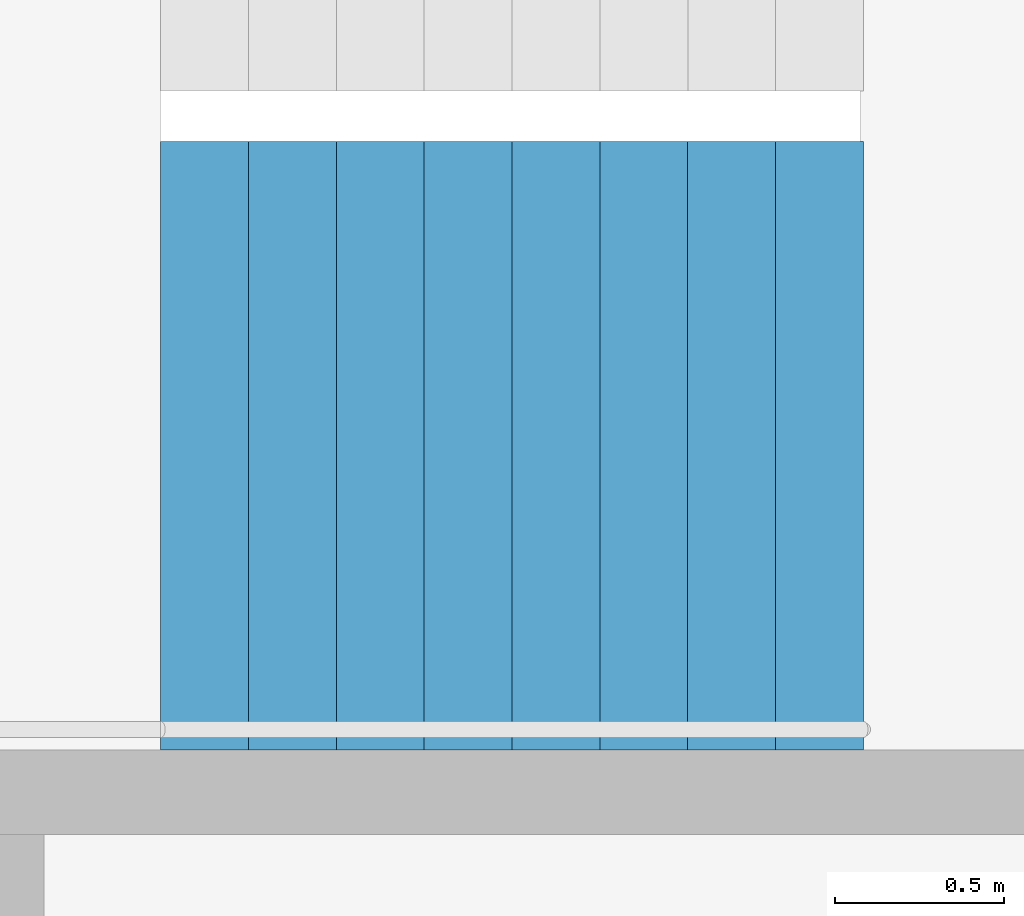
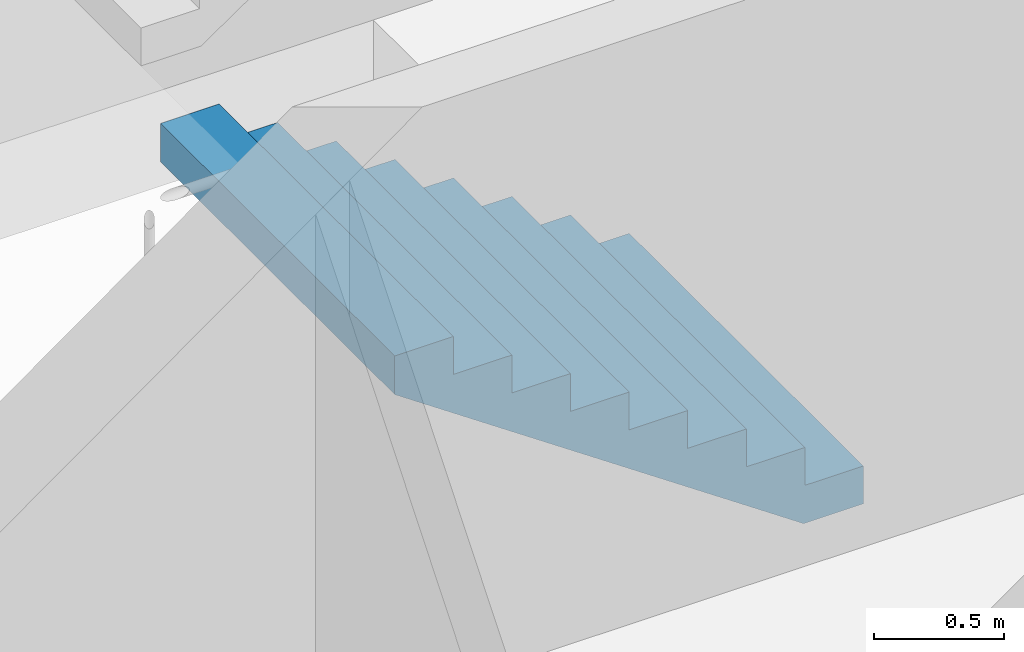
# One storey, part 24 of 26: 1 stair flight, 1 element without a shape of its own.
"""IFC4 building model written with IfcOpenShell, lengths in metres."""

import ifcopenshell
import ifcopenshell.guid

model = None  # the IFC model being written
_history = None  # IfcOwnerHistory: only IFC2X3 demands one
_inside = {}  # id of a spatial element -> (the spatial element, [elements in it])
_under = {}  # id of a project, library or spatial element -> (it, [spatial elements below it])
_declared = {}  # id of a project -> (the project, [libraries it declares])
_typed = {}  # id of a type object -> (the type object, [elements of that type])
_made_of = {}  # id of a material, layer set ... -> (it, [elements and type objects made of it])


def new_model(schema):
    """Start an empty IFC model of exactly this schema.

    Asked for "IFC4X3", IfcOpenShell would pick the latest addendum, in which some entities
    have other attributes; the version numbers below select the first issue.
    IFC2X3 requires an IfcOwnerHistory on every rooted entity: one is made here for all.
    """
    global model, _history
    if schema == "IFC4X3":
        model = ifcopenshell.file(schema_version=(4, 3, 0, 0))
    else:
        model = ifcopenshell.file(schema=schema)
    _inside.clear()
    _under.clear()
    _declared.clear()
    _typed.clear()
    _made_of.clear()
    _history = None
    if model.schema == "IFC2X3":
        org = make("IfcOrganization", Name="unknown")
        user = make(
            "IfcPersonAndOrganization",
            ThePerson=make("IfcPerson", FamilyName="unknown"),
            TheOrganization=org,
        )
        app = make(
            "IfcApplication",
            ApplicationDeveloper=org,
            Version="unknown",
            ApplicationFullName="unknown",
            ApplicationIdentifier="unknown",
        )
        _history = make(
            "IfcOwnerHistory",
            OwningUser=user,
            OwningApplication=app,
            ChangeAction="ADDED",
            CreationDate=0,
        )
    return model


def make(cls, **values):
    """One entity of the class cls with the attributes given. An attribute that is None is left unset."""
    return model.create_entity(
        cls, **{name: value for name, value in values.items() if value is not None}
    )


def rooted(cls, **values):
    """An entity with a GlobalId (a new one), such as an element, a storey or a relation."""
    return make(cls, GlobalId=ifcopenshell.guid.new(), OwnerHistory=_history, **values)


def si_unit(unit_type, name, prefix=None):
    """IfcSIUnit, for example si_unit("LENGTHUNIT", "METRE", prefix="MILLI")."""
    return make("IfcSIUnit", UnitType=unit_type, Prefix=prefix, Name=name)


def assignment(units):
    """IfcUnitAssignment: the units of a project."""
    return None if units is None else make("IfcUnitAssignment", Units=units)


def point(xyz):
    """IfcCartesianPoint."""
    return None if xyz is None else make("IfcCartesianPoint", Coordinates=xyz)


def direction(xyz):
    """IfcDirection."""
    return None if xyz is None else make("IfcDirection", DirectionRatios=xyz)


def frame(location, z_axis=None, x_axis=None):
    """IfcAxis2Placement3D, a coordinate frame: its origin and axes. An axis left out is left unset."""
    return make(
        "IfcAxis2Placement3D",
        Location=point(location),
        Axis=direction(z_axis),
        RefDirection=direction(x_axis),
    )


def origin():
    """The frame at (0, 0, 0) with its axes left unset."""
    return frame((0.0, 0.0, 0.0))


def place(relative_to, where):
    """IfcLocalPlacement: puts the frame where relative to a parent placement (None: the world)."""
    return make(
        "IfcLocalPlacement", PlacementRelTo=relative_to, RelativePlacement=where
    )


def context(
    kind, dimensions, precision=None, world=None, true_north=None, identifier=None
):
    """IfcGeometricRepresentationContext, for example the 3D "Model" context."""
    return make(
        "IfcGeometricRepresentationContext",
        ContextIdentifier=identifier,
        ContextType=kind,
        CoordinateSpaceDimension=dimensions,
        Precision=precision,
        WorldCoordinateSystem=world,
        TrueNorth=true_north,
    )


def subcontext(parent, identifier, kind, view, scale=None):
    """IfcGeometricRepresentationSubContext, for example "Body" below "Model"."""
    return make(
        "IfcGeometricRepresentationSubContext",
        ContextIdentifier=identifier,
        ContextType=kind,
        ParentContext=parent,
        TargetScale=scale,
        TargetView=view,
    )


def project(units=None, contexts=None):
    """IfcProject with its units and contexts."""
    return rooted(
        "IfcProject",
        Name="project",
        RepresentationContexts=contexts,
        UnitsInContext=assignment(units),
    )


def spatial(cls, under=None, at=None, **own):
    """A site, building, storey or space (cls), placed at a placement, below another one or the project."""
    s = rooted(cls, ObjectPlacement=at, **own)
    if under is not None:
        _under.setdefault(under.id(), (under, []))[1].append(s)
    return s


def point_list(points):
    """IfcCartesianPointList2D or 3D."""
    cls = (
        "IfcCartesianPointList2D" if len(points[0]) == 2 else "IfcCartesianPointList3D"
    )
    return make(cls, CoordList=points)


def triangles(points, corners, closed=None, point_numbers=None):
    """IfcTriangulatedFaceSet: each triangle names its three corners, points numbered from 1."""
    return make(
        "IfcTriangulatedFaceSet",
        Coordinates=point_list(points),
        Closed=closed,
        CoordIndex=corners,
        PnIndex=point_numbers,
    )


def shape(context_of_items, identifier, shape_type, items):
    """IfcShapeRepresentation: the items that make up one representation, for example the "Body"."""
    return make(
        "IfcShapeRepresentation",
        ContextOfItems=context_of_items,
        RepresentationIdentifier=identifier,
        RepresentationType=shape_type,
        Items=items,
    )


def material(Name=None, Category=None):
    """IfcMaterial."""
    return make("IfcMaterial", Name=Name, Category=Category)


def made_of(thing, what):
    """Note that an element or type object is made of a material, layer set ...; save() writes the relation."""
    if what is not None:
        _made_of.setdefault(what.id(), (what, []))[1].append(thing)
    return thing


def type_object(cls, material=None, **own):
    """A type object (cls), such as IfcWallType, which elements share."""
    return made_of(rooted(cls, **own), material)


def element(
    cls,
    number,
    at=None,
    inside=None,
    cuts=None,
    type_object=None,
    material=None,
    context=None,
    identifier="Body",
    shape_type=None,
    held_by="IfcProductDefinitionShape",
    body=None,
    shapes=None,
    **own,
):
    """One element of the class cls, such as IfcWall. Its Tag is "e" and its number.

    at: its placement. inside: the storey or other place that contains it. cuts: it is an
    opening in that element (IfcRelVoidsElement). A single representation is given by context,
    identifier, shape_type and body (its items); several are given by shapes. held_by: the class
    of the entity that holds the representations. save() writes the other relations.
    """
    e = rooted(cls, Tag="e%d" % number, ObjectPlacement=at, **own)
    if body is not None:
        shapes = [shape(context, identifier, shape_type, body)]
    if shapes is not None:
        e.Representation = make(held_by, Representations=shapes)
    if inside is not None:
        _inside.setdefault(inside.id(), (inside, []))[1].append(e)
    if cuts is not None:
        rooted(
            "IfcRelVoidsElement", RelatingBuildingElement=cuts, RelatedOpeningElement=e
        )
    if type_object is not None:
        _typed.setdefault(type_object.id(), (type_object, []))[1].append(e)
    return made_of(e, material)


def aggregate(whole, parts):
    """IfcRelAggregates: a whole, such as a stair, and the parts it consists of."""
    return rooted("IfcRelAggregates", RelatingObject=whole, RelatedObjects=parts)


def save(model, path):
    """Write the relations noted so far, then the file.

    IfcRelAggregates (storeys below a building ...), IfcRelContainedInSpatialStructure (elements
    in a storey), IfcRelDefinesByType, IfcRelAssociatesMaterial and IfcRelDeclares: one each for
    every whole, place, type object, material and project.
    """
    for whole, parts in _under.values():
        aggregate(whole, parts)
    for where, things in _inside.values():
        rooted(
            "IfcRelContainedInSpatialStructure",
            RelatedElements=things,
            RelatingStructure=where,
        )
    for kind, things in _typed.values():
        rooted("IfcRelDefinesByType", RelatedObjects=things, RelatingType=kind)
    for what, things in _made_of.values():
        rooted("IfcRelAssociatesMaterial", RelatedObjects=things, RelatingMaterial=what)
    for by, libraries in _declared.values():
        rooted("IfcRelDeclares", RelatingContext=by, RelatedDefinitions=libraries)
    model.write(path)


model = new_model("IFC4")

# Units and contexts
model_context = context("Model", 3, precision=1e-05, world=origin(), true_north=direction((0.0, 1.0)))
body_context = subcontext(model_context, "Body", "Model", "MODEL_VIEW")
ifc_project = project(units=[si_unit("LENGTHUNIT", "METRE"), si_unit("AREAUNIT", "SQUARE_METRE"), si_unit("VOLUMEUNIT", "CUBIC_METRE"), si_unit("PLANEANGLEUNIT", "RADIAN"), si_unit("MASSUNIT", "GRAM", prefix="KILO")], contexts=[model_context])

# Site, building, storey
site_placement = place(None, origin())
site = spatial("IfcSite", under=ifc_project, at=site_placement, CompositionType="ELEMENT")
building_placement = place(site_placement, origin())
building = spatial("IfcBuilding", under=site, at=building_placement, Name="Hakoniwa Tower and Hamabe Station Hall", CompositionType="ELEMENT")
storey_placement = place(building_placement, frame((0.0, 0.0, 209.0)))
storey = spatial("IfcBuildingStorey", under=building, at=storey_placement, Name="L59", CompositionType="ELEMENT", Elevation=209.0)

# Stair, stair flight
ifc_material_1 = material(Name="Concrete C40", Category="concrete")
stair_type = type_object("IfcStairType", Name="ESCAPE STAIR 1800", PredefinedType="HALF_TURN_STAIR", material=ifc_material_1)
stair_placement = place(storey_placement, origin())
stair = element("IfcStair", 1, at=stair_placement, inside=storey, type_object=stair_type, Name="Escape stair ST-3 L59", PredefinedType="HALF_TURN_STAIR")
ifc_material_2 = material(Name="Concrete C40", Category="concrete")
stair_flight_type = type_object("IfcStairFlightType", Name="STAIR FLIGHT 1800", PredefinedType="STRAIGHT", material=ifc_material_2)
stair_flight_placement = place(storey_placement, frame((24.39990234375, 4.64990234375, 0.0), z_axis=(0.0, 0.0, 1.0), x_axis=(-1.0, 0.0, 0.0)))
stair_flight = element("IfcStairFlight", 2, at=stair_flight_placement, type_object=stair_flight_type, Name="ST-3 flight 1", NumberOfRisers=9, NumberOfTreads=8, PredefinedType="STRAIGHT", RiserHeight=0.177777778, TreadLength=0.26, context=body_context, shape_type="Tessellation", body=[
    triangles([(0.0, 0.89990234375, 0.0), (0.260009765625, 0.89990234375, 0.0), (0.265625, 0.89990234375, 0.0), (0.52001953125, 0.89990234375, 0.174072265625), (0.780029296875, 0.89990234375, 0.351806640625), (1.0400390625, 0.89990234375, 0.529541015625), (1.300048828125, 0.89990234375, 0.707275390625), (1.56005859375, 0.89990234375, 0.885009765625), (1.820068359375, 0.89990234375, 1.062744140625), (2.080078125, 0.89990234375, 1.24072265625), (2.080078125, 0.89990234375, 1.422119140625), (1.820068359375, 0.89990234375, 1.422119140625), (1.820068359375, 0.89990234375, 1.244384765625), (1.56005859375, 0.89990234375, 1.244384765625), (1.56005859375, 0.89990234375, 1.066650390625), (1.300048828125, 0.89990234375, 1.066650390625), (1.300048828125, 0.89990234375, 0.888916015625), (1.0400390625, 0.89990234375, 0.888916015625), (1.0400390625, 0.89990234375, 0.711181640625), (0.780029296875, 0.89990234375, 0.711181640625), (0.780029296875, 0.89990234375, 0.533447265625), (0.52001953125, 0.89990234375, 0.533447265625), (0.52001953125, 0.89990234375, 0.35546875), (0.265625, 0.89990234375, 0.35546875), (0.260009765625, 0.89990234375, 0.35546875), (0.260009765625, 0.89990234375, 0.177734375), (0.0, 0.89990234375, 0.177734375), (0.0, 0.06005859375, 0.0), (0.260009765625, 0.06005859375, 0.0), (0.265625, 0.06005859375, 0.0), (0.52001953125, 0.06005859375, 0.174072265625), (0.780029296875, 0.06005859375, 0.351806640625), (1.0400390625, 0.06005859375, 0.529541015625), (1.300048828125, 0.06005859375, 0.707275390625), (1.56005859375, 0.06005859375, 0.885009765625), (1.820068359375, 0.06005859375, 1.062744140625), (2.080078125, 0.06005859375, 1.24072265625), (2.080078125, 0.06005859375, 1.422119140625), (1.820068359375, 0.06005859375, 1.422119140625), (1.820068359375, 0.06005859375, 1.244384765625), (1.56005859375, 0.06005859375, 1.244384765625), (1.56005859375, 0.06005859375, 1.066650390625), (1.300048828125, 0.06005859375, 1.066650390625), (1.300048828125, 0.06005859375, 0.888916015625), (1.0400390625, 0.06005859375, 0.888916015625), (1.0400390625, 0.06005859375, 0.711181640625), (0.780029296875, 0.06005859375, 0.711181640625), (0.780029296875, 0.06005859375, 0.533447265625), (0.52001953125, 0.06005859375, 0.533447265625), (0.52001953125, 0.06005859375, 0.35546875), (0.265625, 0.06005859375, 0.35546875), (0.260009765625, 0.06005859375, 0.35546875), (0.260009765625, 0.06005859375, 0.177734375), (0.0, 0.06005859375, 0.177734375), (0.0, 0.04296875, 0.0), (0.260009765625, 0.04296875, 0.0), (0.265625, 0.04296875, 0.0), (0.52001953125, 0.04296875, 0.174072265625), (0.780029296875, 0.04296875, 0.351806640625), (1.0400390625, 0.04296875, 0.529541015625), (1.300048828125, 0.04296875, 0.707275390625), (1.56005859375, 0.04296875, 0.885009765625), (1.820068359375, 0.04296875, 1.062744140625), (2.080078125, 0.04296875, 1.24072265625), (2.080078125, 0.04296875, 1.422119140625), (1.820068359375, 0.04296875, 1.422119140625), (1.820068359375, 0.04296875, 1.244384765625), (1.56005859375, 0.04296875, 1.244384765625), (1.56005859375, 0.04296875, 1.066650390625), (1.300048828125, 0.04296875, 1.066650390625), (1.300048828125, 0.04296875, 0.888916015625), (1.0400390625, 0.04296875, 0.888916015625), (1.0400390625, 0.04296875, 0.711181640625), (0.780029296875, 0.04296875, 0.711181640625), (0.780029296875, 0.04296875, 0.533447265625), (0.52001953125, 0.04296875, 0.533447265625), (0.52001953125, 0.04296875, 0.35546875), (0.265625, 0.04296875, 0.35546875), (0.260009765625, 0.04296875, 0.35546875), (0.260009765625, 0.04296875, 0.177734375), (0.0, 0.04296875, 0.177734375), (0.0, 0.025634765625, 0.0), (0.260009765625, 0.025634765625, 0.0), (0.265625, 0.025634765625, 0.0), (0.52001953125, 0.025634765625, 0.174072265625), (0.780029296875, 0.025634765625, 0.351806640625), (1.0400390625, 0.025634765625, 0.529541015625), (1.300048828125, 0.025634765625, 0.707275390625), (1.56005859375, 0.025634765625, 0.885009765625), (1.820068359375, 0.025634765625, 1.062744140625), (2.080078125, 0.025634765625, 1.24072265625), (2.080078125, 0.025634765625, 1.422119140625), (1.820068359375, 0.025634765625, 1.422119140625), (1.820068359375, 0.025634765625, 1.244384765625), (1.56005859375, 0.025634765625, 1.244384765625), (1.56005859375, 0.025634765625, 1.066650390625), (1.300048828125, 0.025634765625, 1.066650390625), (1.300048828125, 0.025634765625, 0.888916015625), (1.0400390625, 0.025634765625, 0.888916015625), (1.0400390625, 0.025634765625, 0.711181640625), (0.780029296875, 0.025634765625, 0.711181640625), (0.780029296875, 0.025634765625, 0.533447265625), (0.52001953125, 0.025634765625, 0.533447265625), (0.52001953125, 0.025634765625, 0.35546875), (0.265625, 0.025634765625, 0.35546875), (0.260009765625, 0.025634765625, 0.35546875), (0.260009765625, 0.025634765625, 0.177734375), (0.0, 0.025634765625, 0.177734375), (0.0, 0.008544921875, 0.0), (0.260009765625, 0.008544921875, 0.0), (0.265625, 0.008544921875, 0.0), (0.52001953125, 0.008544921875, 0.174072265625), (0.780029296875, 0.008544921875, 0.351806640625), (1.0400390625, 0.008544921875, 0.529541015625), (1.300048828125, 0.008544921875, 0.707275390625), (1.56005859375, 0.008544921875, 0.885009765625), (1.820068359375, 0.008544921875, 1.062744140625), (2.080078125, 0.008544921875, 1.24072265625), (2.080078125, 0.008544921875, 1.422119140625), (1.820068359375, 0.008544921875, 1.422119140625), (1.820068359375, 0.008544921875, 1.244384765625), (1.56005859375, 0.008544921875, 1.244384765625), (1.56005859375, 0.008544921875, 1.066650390625), (1.300048828125, 0.008544921875, 1.066650390625), (1.300048828125, 0.008544921875, 0.888916015625), (1.0400390625, 0.008544921875, 0.888916015625), (1.0400390625, 0.008544921875, 0.711181640625), (0.780029296875, 0.008544921875, 0.711181640625), (0.780029296875, 0.008544921875, 0.533447265625), (0.52001953125, 0.008544921875, 0.533447265625), (0.52001953125, 0.008544921875, 0.35546875), (0.265625, 0.008544921875, 0.35546875), (0.260009765625, 0.008544921875, 0.35546875), (0.260009765625, 0.008544921875, 0.177734375), (0.0, 0.008544921875, 0.177734375), (0.0, -0.008544921875, 0.0), (0.260009765625, -0.008544921875, 0.0), (0.265625, -0.008544921875, 0.0), (0.52001953125, -0.008544921875, 0.174072265625), (0.780029296875, -0.008544921875, 0.351806640625), (1.0400390625, -0.008544921875, 0.529541015625), (1.300048828125, -0.008544921875, 0.707275390625), (1.56005859375, -0.008544921875, 0.885009765625), (1.820068359375, -0.008544921875, 1.062744140625), (2.080078125, -0.008544921875, 1.24072265625), (2.080078125, -0.008544921875, 1.422119140625), (1.820068359375, -0.008544921875, 1.422119140625), (1.820068359375, -0.008544921875, 1.244384765625), (1.56005859375, -0.008544921875, 1.244384765625), (1.56005859375, -0.008544921875, 1.066650390625), (1.300048828125, -0.008544921875, 1.066650390625), (1.300048828125, -0.008544921875, 0.888916015625), (1.0400390625, -0.008544921875, 0.888916015625), (1.0400390625, -0.008544921875, 0.711181640625), (0.780029296875, -0.008544921875, 0.711181640625), (0.780029296875, -0.008544921875, 0.533447265625), (0.52001953125, -0.008544921875, 0.533447265625), (0.52001953125, -0.008544921875, 0.35546875), (0.265625, -0.008544921875, 0.35546875), (0.260009765625, -0.008544921875, 0.35546875), (0.260009765625, -0.008544921875, 0.177734375), (0.0, -0.008544921875, 0.177734375), (0.0, -0.025634765625, 0.0), (0.260009765625, -0.025634765625, 0.0), (0.265625, -0.025634765625, 0.0), (0.52001953125, -0.025634765625, 0.174072265625), (0.780029296875, -0.025634765625, 0.351806640625), (1.0400390625, -0.025634765625, 0.529541015625), (1.300048828125, -0.025634765625, 0.707275390625), (1.56005859375, -0.025634765625, 0.885009765625), (1.820068359375, -0.025634765625, 1.062744140625), (2.080078125, -0.025634765625, 1.24072265625), (2.080078125, -0.025634765625, 1.422119140625), (1.820068359375, -0.025634765625, 1.422119140625), (1.820068359375, -0.025634765625, 1.244384765625), (1.56005859375, -0.025634765625, 1.244384765625), (1.56005859375, -0.025634765625, 1.066650390625), (1.300048828125, -0.025634765625, 1.066650390625), (1.300048828125, -0.025634765625, 0.888916015625), (1.0400390625, -0.025634765625, 0.888916015625), (1.0400390625, -0.025634765625, 0.711181640625), (0.780029296875, -0.025634765625, 0.711181640625), (0.780029296875, -0.025634765625, 0.533447265625), (0.52001953125, -0.025634765625, 0.533447265625), (0.52001953125, -0.025634765625, 0.35546875), (0.265625, -0.025634765625, 0.35546875), (0.260009765625, -0.025634765625, 0.35546875), (0.260009765625, -0.025634765625, 0.177734375), (0.0, -0.025634765625, 0.177734375), (0.0, -0.04296875, 0.0), (0.260009765625, -0.04296875, 0.0), (0.265625, -0.04296875, 0.0), (0.52001953125, -0.04296875, 0.174072265625), (0.780029296875, -0.04296875, 0.351806640625), (1.0400390625, -0.04296875, 0.529541015625), (1.300048828125, -0.04296875, 0.707275390625), (1.56005859375, -0.04296875, 0.885009765625), (1.820068359375, -0.04296875, 1.062744140625), (2.080078125, -0.04296875, 1.24072265625), (2.080078125, -0.04296875, 1.422119140625), (1.820068359375, -0.04296875, 1.422119140625), (1.820068359375, -0.04296875, 1.244384765625), (1.56005859375, -0.04296875, 1.244384765625), (1.56005859375, -0.04296875, 1.066650390625), (1.300048828125, -0.04296875, 1.066650390625), (1.300048828125, -0.04296875, 0.888916015625), (1.0400390625, -0.04296875, 0.888916015625), (1.0400390625, -0.04296875, 0.711181640625), (0.780029296875, -0.04296875, 0.711181640625), (0.780029296875, -0.04296875, 0.533447265625), (0.52001953125, -0.04296875, 0.533447265625), (0.52001953125, -0.04296875, 0.35546875), (0.265625, -0.04296875, 0.35546875), (0.260009765625, -0.04296875, 0.35546875), (0.260009765625, -0.04296875, 0.177734375), (0.0, -0.04296875, 0.177734375), (0.0, -0.06005859375, 0.0), (0.260009765625, -0.06005859375, 0.0), (0.265625, -0.06005859375, 0.0), (0.52001953125, -0.06005859375, 0.174072265625), (0.780029296875, -0.06005859375, 0.351806640625), (1.0400390625, -0.06005859375, 0.529541015625), (1.300048828125, -0.06005859375, 0.707275390625), (1.56005859375, -0.06005859375, 0.885009765625), (1.820068359375, -0.06005859375, 1.062744140625), (2.080078125, -0.06005859375, 1.24072265625), (2.080078125, -0.06005859375, 1.422119140625), (1.820068359375, -0.06005859375, 1.422119140625), (1.820068359375, -0.06005859375, 1.244384765625), (1.56005859375, -0.06005859375, 1.244384765625), (1.56005859375, -0.06005859375, 1.066650390625), (1.300048828125, -0.06005859375, 1.066650390625), (1.300048828125, -0.06005859375, 0.888916015625), (1.0400390625, -0.06005859375, 0.888916015625), (1.0400390625, -0.06005859375, 0.711181640625), (0.780029296875, -0.06005859375, 0.711181640625), (0.780029296875, -0.06005859375, 0.533447265625), (0.52001953125, -0.06005859375, 0.533447265625), (0.52001953125, -0.06005859375, 0.35546875), (0.265625, -0.06005859375, 0.35546875), (0.260009765625, -0.06005859375, 0.35546875), (0.260009765625, -0.06005859375, 0.177734375), (0.0, -0.06005859375, 0.177734375), (0.0, -0.89990234375, 0.0), (0.260009765625, -0.89990234375, 0.0), (0.265625, -0.89990234375, 0.0), (0.52001953125, -0.89990234375, 0.174072265625), (0.780029296875, -0.89990234375, 0.351806640625), (1.0400390625, -0.89990234375, 0.529541015625), (1.300048828125, -0.89990234375, 0.707275390625), (1.56005859375, -0.89990234375, 0.885009765625), (1.820068359375, -0.89990234375, 1.062744140625), (2.080078125, -0.89990234375, 1.24072265625), (2.080078125, -0.89990234375, 1.422119140625), (1.820068359375, -0.89990234375, 1.422119140625), (1.820068359375, -0.89990234375, 1.244384765625), (1.56005859375, -0.89990234375, 1.244384765625), (1.56005859375, -0.89990234375, 1.066650390625), (1.300048828125, -0.89990234375, 1.066650390625), (1.300048828125, -0.89990234375, 0.888916015625), (1.0400390625, -0.89990234375, 0.888916015625), (1.0400390625, -0.89990234375, 0.711181640625), (0.780029296875, -0.89990234375, 0.711181640625), (0.780029296875, -0.89990234375, 0.533447265625), (0.52001953125, -0.89990234375, 0.533447265625), (0.52001953125, -0.89990234375, 0.35546875), (0.265625, -0.89990234375, 0.35546875), (0.260009765625, -0.89990234375, 0.35546875), (0.260009765625, -0.89990234375, 0.177734375), (0.0, -0.89990234375, 0.177734375)], [[2, 27, 26], [245, 269, 270], [2, 1, 27], [245, 270, 244], [3, 25, 24], [246, 267, 268], [3, 26, 25], [246, 268, 269], [3, 2, 26], [246, 269, 245], [4, 24, 23], [247, 266, 267], [4, 3, 24], [247, 267, 246], [5, 22, 21], [248, 264, 265], [5, 23, 22], [248, 265, 266], [5, 4, 23], [248, 266, 247], [6, 20, 19], [249, 262, 263], [6, 21, 20], [249, 263, 264], [6, 5, 21], [249, 264, 248], [7, 18, 17], [250, 260, 261], [7, 19, 18], [250, 261, 262], [7, 6, 19], [250, 262, 249], [8, 16, 15], [251, 258, 259], [8, 17, 16], [251, 259, 260], [8, 7, 17], [251, 260, 250], [9, 14, 13], [252, 256, 257], [9, 15, 14], [252, 257, 258], [9, 8, 15], [252, 258, 251], [10, 12, 11], [253, 254, 255], [10, 13, 12], [253, 255, 256], [10, 9, 13], [253, 256, 252], [1, 2, 29], [1, 29, 28], [28, 29, 56], [28, 56, 55], [55, 56, 83], [55, 83, 82], [82, 83, 110], [82, 110, 109], [109, 110, 137], [109, 137, 136], [136, 137, 164], [136, 164, 163], [163, 164, 191], [163, 191, 190], [190, 191, 218], [190, 218, 217], [217, 218, 245], [217, 245, 244], [2, 3, 30], [2, 30, 29], [29, 30, 57], [29, 57, 56], [56, 57, 84], [56, 84, 83], [83, 84, 111], [83, 111, 110], [110, 111, 138], [110, 138, 137], [137, 138, 165], [137, 165, 164], [164, 165, 192], [164, 192, 191], [191, 192, 219], [191, 219, 218], [218, 219, 246], [218, 246, 245], [3, 4, 31], [3, 31, 30], [30, 31, 58], [30, 58, 57], [57, 58, 85], [57, 85, 84], [84, 85, 112], [84, 112, 111], [111, 112, 139], [111, 139, 138], [138, 139, 166], [138, 166, 165], [165, 166, 193], [165, 193, 192], [192, 193, 220], [192, 220, 219], [219, 220, 247], [219, 247, 246], [4, 5, 32], [4, 32, 31], [31, 32, 59], [31, 59, 58], [58, 59, 86], [58, 86, 85], [85, 86, 113], [85, 113, 112], [112, 113, 140], [112, 140, 139], [139, 140, 167], [139, 167, 166], [166, 167, 194], [166, 194, 193], [193, 194, 221], [193, 221, 220], [220, 221, 248], [220, 248, 247], [5, 6, 33], [5, 33, 32], [32, 33, 60], [32, 60, 59], [59, 60, 87], [59, 87, 86], [86, 87, 114], [86, 114, 113], [113, 114, 141], [113, 141, 140], [140, 141, 168], [140, 168, 167], [167, 168, 195], [167, 195, 194], [194, 195, 222], [194, 222, 221], [221, 222, 249], [221, 249, 248], [6, 7, 34], [6, 34, 33], [33, 34, 61], [33, 61, 60], [60, 61, 88], [60, 88, 87], [87, 88, 115], [87, 115, 114], [114, 115, 142], [114, 142, 141], [141, 142, 169], [141, 169, 168], [168, 169, 196], [168, 196, 195], [195, 196, 223], [195, 223, 222], [222, 223, 250], [222, 250, 249], [7, 8, 35], [7, 35, 34], [34, 35, 62], [34, 62, 61], [61, 62, 89], [61, 89, 88], [88, 89, 116], [88, 116, 115], [115, 116, 143], [115, 143, 142], [142, 143, 170], [142, 170, 169], [169, 170, 197], [169, 197, 196], [196, 197, 224], [196, 224, 223], [223, 224, 251], [223, 251, 250], [8, 9, 36], [8, 36, 35], [35, 36, 63], [35, 63, 62], [62, 63, 90], [62, 90, 89], [89, 90, 117], [89, 117, 116], [116, 117, 144], [116, 144, 143], [143, 144, 171], [143, 171, 170], [170, 171, 198], [170, 198, 197], [197, 198, 225], [197, 225, 224], [224, 225, 252], [224, 252, 251], [9, 10, 37], [9, 37, 36], [36, 37, 64], [36, 64, 63], [63, 64, 91], [63, 91, 90], [90, 91, 118], [90, 118, 117], [117, 118, 145], [117, 145, 144], [144, 145, 172], [144, 172, 171], [171, 172, 199], [171, 199, 198], [198, 199, 226], [198, 226, 225], [225, 226, 253], [225, 253, 252], [10, 11, 38], [10, 38, 37], [37, 38, 65], [37, 65, 64], [64, 65, 92], [64, 92, 91], [91, 92, 119], [91, 119, 118], [118, 119, 146], [118, 146, 145], [145, 146, 173], [145, 173, 172], [172, 173, 200], [172, 200, 199], [199, 200, 227], [199, 227, 226], [226, 227, 254], [226, 254, 253], [11, 12, 39], [11, 39, 38], [38, 39, 66], [38, 66, 65], [65, 66, 93], [65, 93, 92], [92, 93, 120], [92, 120, 119], [119, 120, 147], [119, 147, 146], [146, 147, 174], [146, 174, 173], [173, 174, 201], [173, 201, 200], [200, 201, 228], [200, 228, 227], [227, 228, 255], [227, 255, 254], [12, 13, 40], [12, 40, 39], [39, 40, 67], [39, 67, 66], [66, 67, 94], [66, 94, 93], [93, 94, 121], [93, 121, 120], [120, 121, 148], [120, 148, 147], [147, 148, 175], [147, 175, 174], [174, 175, 202], [174, 202, 201], [201, 202, 229], [201, 229, 228], [228, 229, 256], [228, 256, 255], [13, 14, 41], [13, 41, 40], [40, 41, 68], [40, 68, 67], [67, 68, 95], [67, 95, 94], [94, 95, 122], [94, 122, 121], [121, 122, 149], [121, 149, 148], [148, 149, 176], [148, 176, 175], [175, 176, 203], [175, 203, 202], [202, 203, 230], [202, 230, 229], [229, 230, 257], [229, 257, 256], [14, 15, 42], [14, 42, 41], [41, 42, 69], [41, 69, 68], [68, 69, 96], [68, 96, 95], [95, 96, 123], [95, 123, 122], [122, 123, 150], [122, 150, 149], [149, 150, 177], [149, 177, 176], [176, 177, 204], [176, 204, 203], [203, 204, 231], [203, 231, 230], [230, 231, 258], [230, 258, 257], [15, 16, 43], [15, 43, 42], [42, 43, 70], [42, 70, 69], [69, 70, 97], [69, 97, 96], [96, 97, 124], [96, 124, 123], [123, 124, 151], [123, 151, 150], [150, 151, 178], [150, 178, 177], [177, 178, 205], [177, 205, 204], [204, 205, 232], [204, 232, 231], [231, 232, 259], [231, 259, 258], [16, 17, 44], [16, 44, 43], [43, 44, 71], [43, 71, 70], [70, 71, 98], [70, 98, 97], [97, 98, 125], [97, 125, 124], [124, 125, 152], [124, 152, 151], [151, 152, 179], [151, 179, 178], [178, 179, 206], [178, 206, 205], [205, 206, 233], [205, 233, 232], [232, 233, 260], [232, 260, 259], [17, 18, 45], [17, 45, 44], [44, 45, 72], [44, 72, 71], [71, 72, 99], [71, 99, 98], [98, 99, 126], [98, 126, 125], [125, 126, 153], [125, 153, 152], [152, 153, 180], [152, 180, 179], [179, 180, 207], [179, 207, 206], [206, 207, 234], [206, 234, 233], [233, 234, 261], [233, 261, 260], [18, 19, 46], [18, 46, 45], [45, 46, 73], [45, 73, 72], [72, 73, 100], [72, 100, 99], [99, 100, 127], [99, 127, 126], [126, 127, 154], [126, 154, 153], [153, 154, 181], [153, 181, 180], [180, 181, 208], [180, 208, 207], [207, 208, 235], [207, 235, 234], [234, 235, 262], [234, 262, 261], [19, 20, 47], [19, 47, 46], [46, 47, 74], [46, 74, 73], [73, 74, 101], [73, 101, 100], [100, 101, 128], [100, 128, 127], [127, 128, 155], [127, 155, 154], [154, 155, 182], [154, 182, 181], [181, 182, 209], [181, 209, 208], [208, 209, 236], [208, 236, 235], [235, 236, 263], [235, 263, 262], [20, 21, 48], [20, 48, 47], [47, 48, 75], [47, 75, 74], [74, 75, 102], [74, 102, 101], [101, 102, 129], [101, 129, 128], [128, 129, 156], [128, 156, 155], [155, 156, 183], [155, 183, 182], [182, 183, 210], [182, 210, 209], [209, 210, 237], [209, 237, 236], [236, 237, 264], [236, 264, 263], [21, 22, 49], [21, 49, 48], [48, 49, 76], [48, 76, 75], [75, 76, 103], [75, 103, 102], [102, 103, 130], [102, 130, 129], [129, 130, 157], [129, 157, 156], [156, 157, 184], [156, 184, 183], [183, 184, 211], [183, 211, 210], [210, 211, 238], [210, 238, 237], [237, 238, 265], [237, 265, 264], [22, 23, 50], [22, 50, 49], [49, 50, 77], [49, 77, 76], [76, 77, 104], [76, 104, 103], [103, 104, 131], [103, 131, 130], [130, 131, 158], [130, 158, 157], [157, 158, 185], [157, 185, 184], [184, 185, 212], [184, 212, 211], [211, 212, 239], [211, 239, 238], [238, 239, 266], [238, 266, 265], [23, 24, 51], [23, 51, 50], [50, 51, 78], [50, 78, 77], [77, 78, 105], [77, 105, 104], [104, 105, 132], [104, 132, 131], [131, 132, 159], [131, 159, 158], [158, 159, 186], [158, 186, 185], [185, 186, 213], [185, 213, 212], [212, 213, 240], [212, 240, 239], [239, 240, 267], [239, 267, 266], [24, 25, 52], [24, 52, 51], [51, 52, 79], [51, 79, 78], [78, 79, 106], [78, 106, 105], [105, 106, 133], [105, 133, 132], [132, 133, 160], [132, 160, 159], [159, 160, 187], [159, 187, 186], [186, 187, 214], [186, 214, 213], [213, 214, 241], [213, 241, 240], [240, 241, 268], [240, 268, 267], [25, 26, 53], [25, 53, 52], [52, 53, 80], [52, 80, 79], [79, 80, 107], [79, 107, 106], [106, 107, 134], [106, 134, 133], [133, 134, 161], [133, 161, 160], [160, 161, 188], [160, 188, 187], [187, 188, 215], [187, 215, 214], [214, 215, 242], [214, 242, 241], [241, 242, 269], [241, 269, 268], [26, 27, 54], [26, 54, 53], [53, 54, 81], [53, 81, 80], [80, 81, 108], [80, 108, 107], [107, 108, 135], [107, 135, 134], [134, 135, 162], [134, 162, 161], [161, 162, 189], [161, 189, 188], [188, 189, 216], [188, 216, 215], [215, 216, 243], [215, 243, 242], [242, 243, 270], [242, 270, 269], [27, 1, 28], [27, 28, 54], [54, 28, 55], [54, 55, 81], [81, 55, 82], [81, 82, 108], [108, 82, 109], [108, 109, 135], [135, 109, 136], [135, 136, 162], [162, 136, 163], [162, 163, 189], [189, 163, 190], [189, 190, 216], [216, 190, 217], [216, 217, 243], [243, 217, 244], [243, 244, 270]], closed=True),
])
aggregate(stair, [stair_flight])

save(model, "model.ifc")
